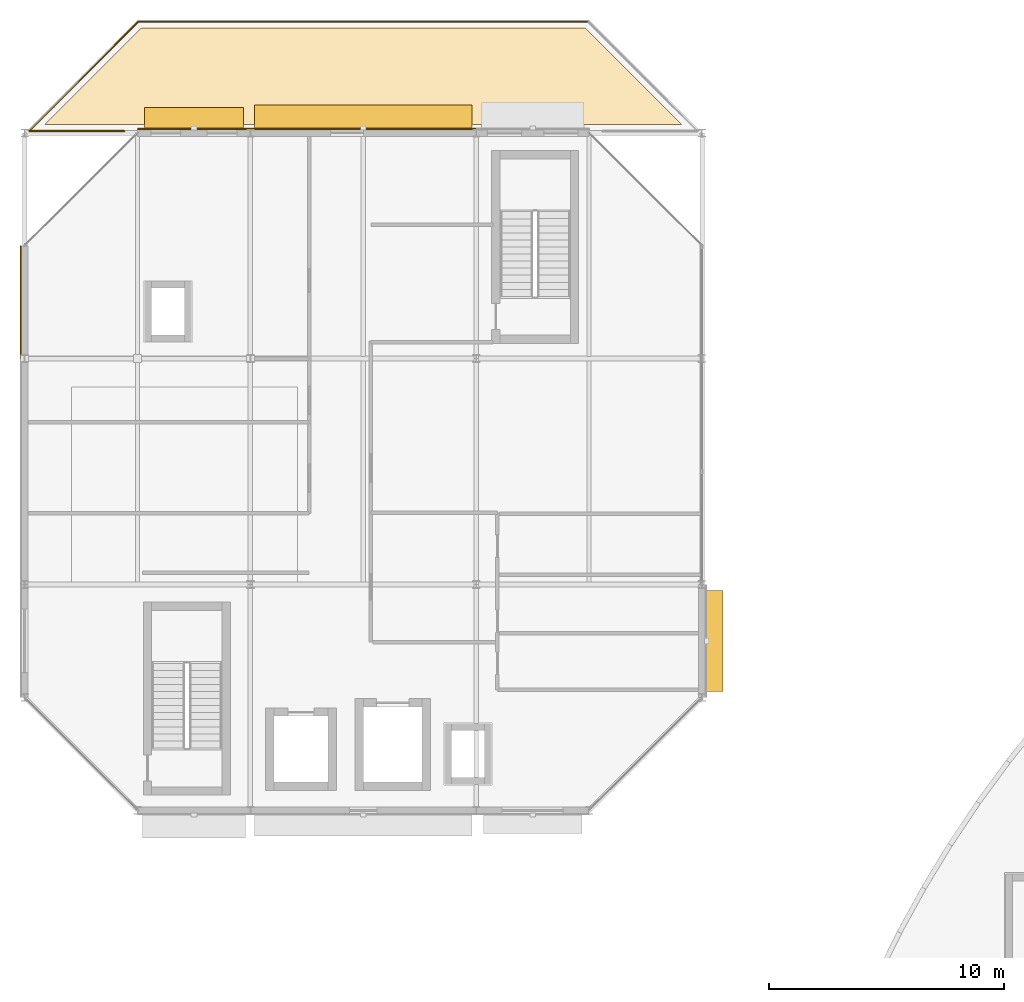
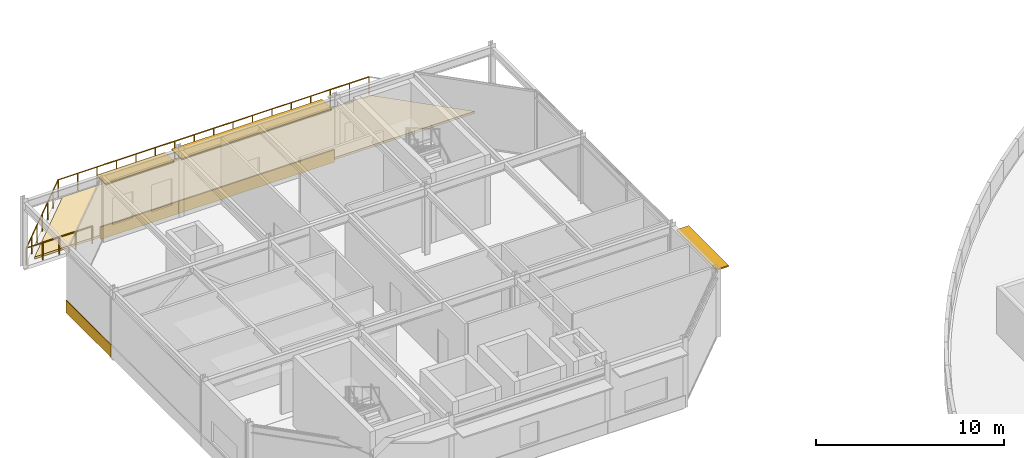
# One storey, part 44 of 50: 4 coverings, 3 railings, 3 shading devices.
"""IFC4 building model written with IfcOpenShell, lengths in metres."""

from ifc_helpers import new_model, si_unit, direction, frame, origin, origin_2d, place, context, subcontext, project, spatial, polyline, rectangle, circle, outline, extrude, material, layer, layer_set, type_object, element, save


model = new_model("IFC4")

# Units and contexts
model_context = context("Model", 3, precision=1e-05, world=origin(), true_north=direction((0.0, 1.0)))
body_context = subcontext(model_context, "Body", "Model", "MODEL_VIEW")
ifc_project = project(units=[si_unit("LENGTHUNIT", "METRE"), si_unit("AREAUNIT", "SQUARE_METRE"), si_unit("VOLUMEUNIT", "CUBIC_METRE"), si_unit("PLANEANGLEUNIT", "RADIAN"), si_unit("MASSUNIT", "GRAM", prefix="KILO")], contexts=[model_context])

# Site, building, storey
site_placement = place(None, origin())
site = spatial("IfcSite", under=ifc_project, at=site_placement, CompositionType="ELEMENT")
building_placement = place(site_placement, origin())
building = spatial("IfcBuilding", under=site, at=building_placement, Name="Almandine Court Research Institute", CompositionType="ELEMENT")
storey_placement = place(building_placement, frame((0.0, 0.0, 23.449951171875)))
storey = spatial("IfcBuildingStorey", under=building, at=storey_placement, Name="L05", CompositionType="ELEMENT", Elevation=23.449951171875)

# Coverings
ifc_material_1 = material(Name="Extruded Cream-Ochre Seismic Terracotta Spandrel", Category="masonry")
ifc_layer_1 = layer(ifc_material_1, 0.054931640625)
ifc_layer_set_1 = layer_set([ifc_layer_1], Name="Extruded Cream-Ochre Seismic Terracotta Spandrel")
covering_type_1 = type_object("IfcCoveringType", Name="Cov-CLAD-TERR", PredefinedType="CLADDING", material=ifc_layer_set_1)
for number, where, z_axis, x_axis, name in (
    (1, (5.830078125, 105.60009765625, 0.02001953125), (0.0, 0.0, 1.0), (0.0, 1.0, 0.0), "L05 Facade Spandrel Cladding Band 87"),
    (2, (13.199951171875, 112.970947265625, 0.02001953125), (0.0, 0.0, 1.0), (1.0, 0.0, 0.0), "L05 Facade Spandrel Cladding Band 88"),
):
    element("IfcCovering", number, at=place(storey_placement, frame(where, z_axis=z_axis, x_axis=x_axis)), inside=storey, type_object=covering_type_1, Name=name, PredefinedType="CLADDING", context=body_context, shape_type="SweptSolid", body=[
        extrude(rectangle(XDim=4.7919921875, YDim=0.054931640625, at=origin_2d()), origin(), (0.0, 0.0, 1.0), 0.800048828125),
    ])
covering_1_placement = place(storey_placement, frame((20.39990234375, 112.970947265625, 0.02001953125), z_axis=(0.0, 0.0, 1.0), x_axis=(1.0, 0.0, 0.0)))
element("IfcCovering", 3, at=covering_1_placement, inside=storey, type_object=covering_type_1, Name="L05 Facade Spandrel Cladding Band 89", PredefinedType="CLADDING", context=body_context, shape_type="SweptSolid", body=[
    extrude(rectangle(XDim=9.592041015625, YDim=0.054931640625, at=origin_2d()), origin(), (0.0, 0.0, 1.0), 0.800048828125),
])
ifc_material_2 = material(Name="Extensive Andean Sedum Planted Green Roof Build-Up")
ifc_layer_2 = layer(ifc_material_2, 0.139892578125)
ifc_layer_set_2 = layer_set([ifc_layer_2], Name="Extensive Andean Sedum Planted Green Roof Build-Up")
covering_type_2 = type_object("IfcCoveringType", Name="Cov-ROOF-GREEN", PredefinedType="ROOFING", material=ifc_layer_set_2)
covering_2_placement = place(storey_placement, origin())
element("IfcCovering", 4, at=covering_2_placement, inside=storey, type_object=covering_type_2, Name="L05 Planted Green Roof Covering 01", PredefinedType="ROOFING", context=body_context, shape_type="SweptSolid", body=[
    extrude(outline(polyline([(6.844970703125, 113.14990234375), (10.945068359375, 117.25), (29.85498046875, 117.25), (33.955078125, 113.14990234375), (6.844970703125, 113.14990234375)])), origin(), (0.0, 0.0, 1.0), 0.14013671875),
])

# Railings
ifc_material_3 = material(Name="Architectural Powder-Coated Aluminium Balustrade", Category="aluminium")
railing_type = type_object("IfcRailingType", Name="Rail-BAL-EXT", PredefinedType="BALUSTRADE", material=ifc_material_3)
railing_1_placement = place(storey_placement, frame((6.193115234375, 112.8798828125, 0.0)))
element("IfcRailing", 5, at=railing_1_placement, inside=storey, type_object=railing_type, Name="L05 Terrace Perimeter Balustrade 001", PredefinedType="BALUSTRADE", context=body_context, shape_type="SweptSolid", body=[
    extrude(circle(Radius=0.02392578125, at=origin_2d()), frame((0.0, 0.0, 1.1259765625), z_axis=(0.707088178254, 0.70712538363, 0.0), x_axis=(-0.70712538363, 0.707088178254, 0.0)), (0.0, 0.0, 1.0), 6.56201171875),
    extrude(circle(Radius=0.02099609375, at=origin_2d()), origin(), (0.0, 0.0, 1.0), 1.101806640625),
    extrude(circle(Radius=0.02099609375, at=origin_2d()), frame((0.7734375, 0.7734375, 0.0)), (0.0, 0.0, 1.0), 1.101806640625),
    extrude(circle(Radius=0.02099609375, at=origin_2d()), frame((1.546630859375, 1.546630859375, 0.0)), (0.0, 0.0, 1.0), 1.101806640625),
    extrude(circle(Radius=0.02099609375, at=origin_2d()), frame((2.31982421875, 2.320068359375, 0.0)), (0.0, 0.0, 1.0), 1.101806640625),
    extrude(circle(Radius=0.02099609375, at=origin_2d()), frame((3.09326171875, 3.093505859375, 0.0)), (0.0, 0.0, 1.0), 1.101806640625),
    extrude(circle(Radius=0.02099609375, at=origin_2d()), frame((3.86669921875, 3.86669921875, 0.0)), (0.0, 0.0, 1.0), 1.101806640625),
    extrude(circle(Radius=0.02099609375, at=origin_2d()), frame((4.639892578125, 4.64013671875, 0.0)), (0.0, 0.0, 1.0), 1.101806640625),
])
railing_2_placement = place(storey_placement, frame((10.8330078125, 117.52001953125, 0.0)))
element("IfcRailing", 6, at=railing_2_placement, inside=storey, type_object=railing_type, Name="L05 Terrace Perimeter Balustrade 002", PredefinedType="BALUSTRADE", context=body_context, shape_type="SweptSolid", body=[
    extrude(circle(Radius=0.02392578125, at=origin_2d()), frame((0.0, 0.0, 1.1259765625), z_axis=(1.0, 0.0, 0.0), x_axis=(0.0, 1.0, 0.0)), (0.0, 0.0, 1.0), 19.134033203125),
    extrude(circle(Radius=0.02099609375, at=origin_2d()), origin(), (0.0, 0.0, 1.0), 1.101806640625),
    extrude(circle(Radius=0.02099609375, at=origin_2d()), frame((1.19580078125, 0.0, 0.0)), (0.0, 0.0, 1.0), 1.101806640625),
    extrude(circle(Radius=0.02099609375, at=origin_2d()), frame((2.391845703125, 0.0, 0.0)), (0.0, 0.0, 1.0), 1.101806640625),
    extrude(circle(Radius=0.02099609375, at=origin_2d()), frame((3.587646484375, 0.0, 0.0)), (0.0, 0.0, 1.0), 1.101806640625),
    extrude(circle(Radius=0.02099609375, at=origin_2d()), frame((4.783447265625, 0.0, 0.0)), (0.0, 0.0, 1.0), 1.101806640625),
    extrude(circle(Radius=0.02099609375, at=origin_2d()), frame((5.9794921875, 0.0, 0.0)), (0.0, 0.0, 1.0), 1.101806640625),
    extrude(circle(Radius=0.02099609375, at=origin_2d()), frame((7.17529296875, 0.0, 0.0)), (0.0, 0.0, 1.0), 1.101806640625),
    extrude(circle(Radius=0.02099609375, at=origin_2d()), frame((8.37109375, 0.0, 0.0)), (0.0, 0.0, 1.0), 1.101806640625),
    extrude(circle(Radius=0.02099609375, at=origin_2d()), frame((9.56689453125, 0.0, 0.0)), (0.0, 0.0, 1.0), 1.101806640625),
    extrude(circle(Radius=0.02099609375, at=origin_2d()), frame((10.762939453125, 0.0, 0.0)), (0.0, 0.0, 1.0), 1.101806640625),
    extrude(circle(Radius=0.02099609375, at=origin_2d()), frame((11.958740234375, 0.0, 0.0)), (0.0, 0.0, 1.0), 1.101806640625),
    extrude(circle(Radius=0.02099609375, at=origin_2d()), frame((13.154541015625, 0.0, 0.0)), (0.0, 0.0, 1.0), 1.101806640625),
    extrude(circle(Radius=0.02099609375, at=origin_2d()), frame((14.3505859375, 0.0, 0.0)), (0.0, 0.0, 1.0), 1.101806640625),
    extrude(circle(Radius=0.02099609375, at=origin_2d()), frame((15.54638671875, 0.0, 0.0)), (0.0, 0.0, 1.0), 1.101806640625),
    extrude(circle(Radius=0.02099609375, at=origin_2d()), frame((16.7421875, 0.0, 0.0)), (0.0, 0.0, 1.0), 1.101806640625),
    extrude(circle(Radius=0.02099609375, at=origin_2d()), frame((17.938232421875, 0.0, 0.0)), (0.0, 0.0, 1.0), 1.101806640625),
    extrude(circle(Radius=0.02099609375, at=origin_2d()), frame((19.134033203125, 0.0, 0.0)), (0.0, 0.0, 1.0), 1.101806640625),
])
railing_3_placement = place(storey_placement, frame((10.243896484375, 112.8798828125, 0.0)))
element("IfcRailing", 7, at=railing_3_placement, inside=storey, type_object=railing_type, Name="L05 Terrace Perimeter Balustrade 005", PredefinedType="BALUSTRADE", context=body_context, shape_type="SweptSolid", body=[
    extrude(circle(Radius=0.02392578125, at=origin_2d()), frame((0.0, 0.0, 1.1259765625), z_axis=(-1.0, 0.0, 0.0), x_axis=(0.0, -1.0, 0.0)), (0.0, 0.0, 1.0), 4.05078125),
    extrude(circle(Radius=0.02099609375, at=origin_2d()), origin(), (0.0, 0.0, 1.0), 1.101806640625),
    extrude(circle(Radius=0.02099609375, at=origin_2d()), frame((-1.0126953125, 0.0, 0.0)), (0.0, 0.0, 1.0), 1.101806640625),
    extrude(circle(Radius=0.02099609375, at=origin_2d()), frame((-2.025390625, 0.0, 0.0)), (0.0, 0.0, 1.0), 1.101806640625),
    extrude(circle(Radius=0.02099609375, at=origin_2d()), frame((-3.0380859375, 0.0, 0.0)), (0.0, 0.0, 1.0), 1.101806640625),
    extrude(circle(Radius=0.02099609375, at=origin_2d()), frame((-4.05078125, 0.0, 0.0)), (0.0, 0.0, 1.0), 1.101806640625),
])

# Shading devices
ifc_material_4 = material(Name="Precast GFRC Chhajja Sunshade and Acoustic Louvre", Category="concrete")
ifc_layer_3 = layer(ifc_material_4, 0.080078125)
ifc_layer_set_3 = layer_set([ifc_layer_3], Name="Precast GFRC Chhajja Sunshade and Acoustic Louvre")
shading_device_type_1 = type_object("IfcShadingDeviceType", Name="Shd-SD-02", PredefinedType="AWNING", material=ifc_layer_set_3)
shading_device_1_placement = place(storey_placement, frame((20.39990234375, 113.4599609375, 3.469970703125), z_axis=(0.0, 0.0, 1.0), x_axis=(1.0, 0.0, 0.0)))
element("IfcShadingDevice", 8, at=shading_device_1_placement, inside=storey, type_object=shading_device_type_1, Name="L05 Projecting Chhajja Sunshade 52", PredefinedType="AWNING", context=body_context, shape_type="SweptSolid", body=[
    extrude(rectangle(XDim=9.241943359375, YDim=1.050048828125, at=origin_2d()), origin(), (0.0, 0.0, 1.0), 0.080078125),
])
ifc_layer_4 = layer(ifc_material_4, 0.080078125)
ifc_layer_set_4 = layer_set([ifc_layer_4], Name="Precast GFRC Chhajja Sunshade and Acoustic Louvre")
shading_device_type_2 = type_object("IfcShadingDeviceType", Name="Shd-SD-09", PredefinedType="AWNING", material=ifc_layer_set_4)
shading_device_2_placement = place(storey_placement, frame((35.31005859375, 91.199951171875, 4.030029296875), z_axis=(0.0, 0.0, 1.0), x_axis=(0.0, -1.0, 0.0)))
element("IfcShadingDevice", 9, at=shading_device_2_placement, inside=storey, type_object=shading_device_type_2, Name="L05 Projecting Chhajja Sunshade 54", PredefinedType="AWNING", context=body_context, shape_type="SweptSolid", body=[
    extrude(rectangle(XDim=4.281982421875, YDim=0.75, at=origin_2d()), origin(), (0.0, 0.0, 1.0), 0.080078125),
])
ifc_layer_5 = layer(ifc_material_4, 0.080078125)
ifc_layer_set_5 = layer_set([ifc_layer_5], Name="Precast GFRC Chhajja Sunshade and Acoustic Louvre")
shading_device_type_3 = type_object("IfcShadingDeviceType", Name="Shd-SD-32", PredefinedType="AWNING", material=ifc_layer_set_5)
shading_device_3_placement = place(storey_placement, frame((13.199951171875, 113.409912109375, 3.469970703125), z_axis=(0.0, 0.0, 1.0), x_axis=(1.0, 0.0, 0.0)))
element("IfcShadingDevice", 10, at=shading_device_3_placement, inside=storey, type_object=shading_device_type_3, Name="L05 Projecting Chhajja Sunshade 51", PredefinedType="AWNING", context=body_context, shape_type="SweptSolid", body=[
    extrude(rectangle(XDim=4.201904296875, YDim=0.949951171875, at=origin_2d()), origin(), (0.0, 0.0, 1.0), 0.080078125),
])

save(model, "model.ifc")
